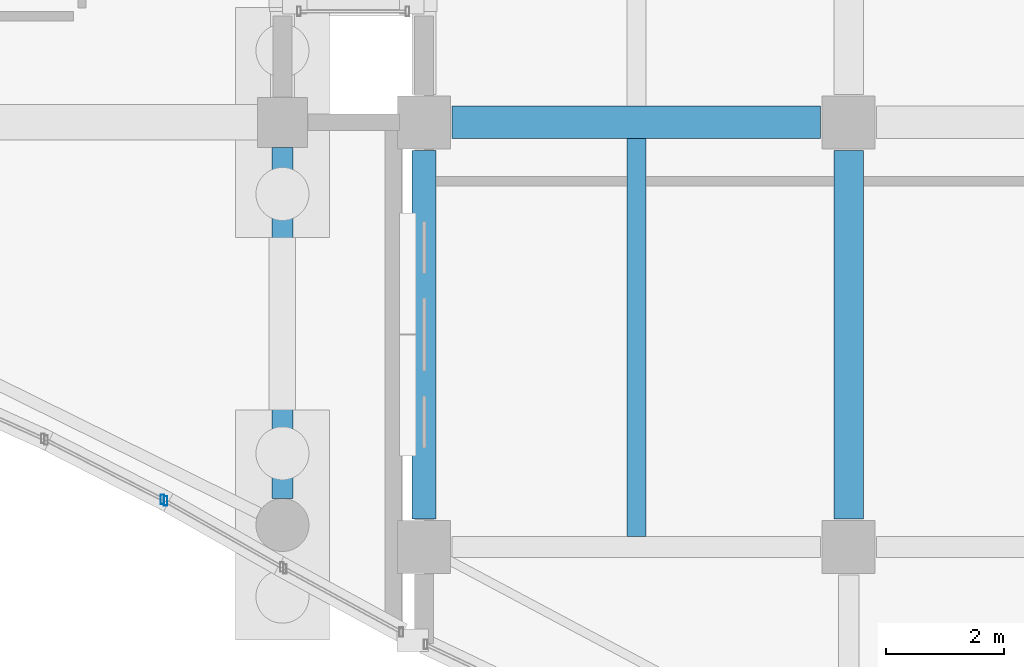
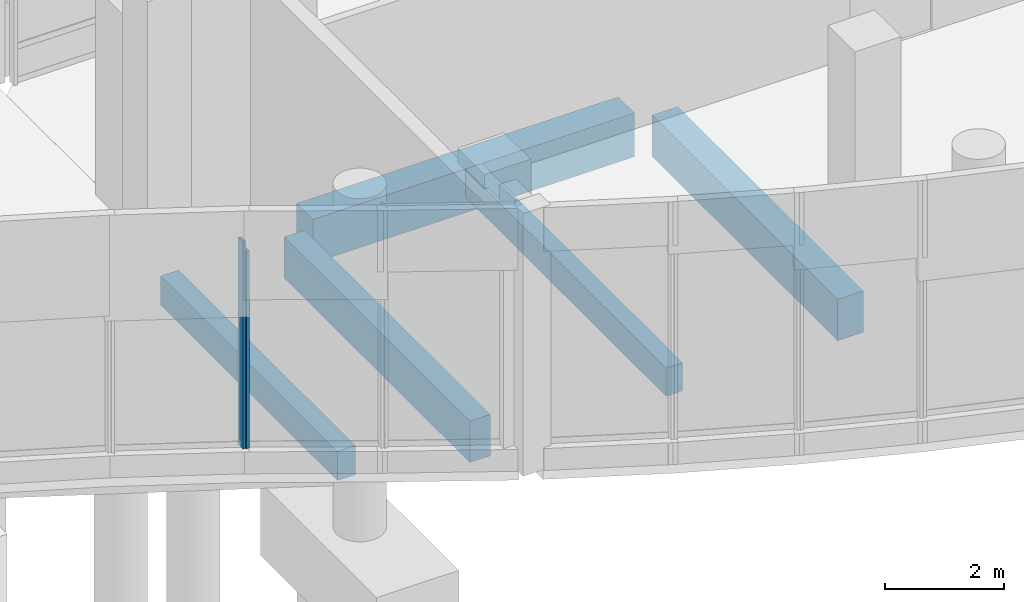
# One storey, part 71 of 192: 5 beams, 2 members, 2 elements without a shape of their own.
"""IFC4 building model written with IfcOpenShell, lengths in metres."""

from ifc_helpers import new_model, si_unit, direction, frame, origin, origin_2d, place, context, subcontext, project, spatial, rectangle, hollow_rectangle, extrude, material, material_profile, profile_set, type_object, element, aggregate, save


model = new_model("IFC4")

# Units and contexts
model_context = context("Model", 3, precision=1e-05, world=origin(), true_north=direction((0.0, 1.0)))
body_context = subcontext(model_context, "Body", "Model", "MODEL_VIEW")
ifc_project = project(units=[si_unit("LENGTHUNIT", "METRE"), si_unit("AREAUNIT", "SQUARE_METRE"), si_unit("VOLUMEUNIT", "CUBIC_METRE"), si_unit("PLANEANGLEUNIT", "RADIAN"), si_unit("MASSUNIT", "GRAM", prefix="KILO")], contexts=[model_context])

# Site, building, storey
site_placement = place(None, origin())
site = spatial("IfcSite", under=ifc_project, at=site_placement, CompositionType="ELEMENT")
building_placement = place(site_placement, origin())
building = spatial("IfcBuilding", under=site, at=building_placement, Name="Cendralis Lancet Convention Centre", CompositionType="ELEMENT")
storey_placement = place(building_placement, origin())
storey = spatial("IfcBuildingStorey", under=building, at=storey_placement, Name="L00", CompositionType="ELEMENT", Elevation=0.0)

# Curtain wall, member
ifc_material_1 = material(Name="Anodised bronze architectural aluminium", Category="aluminium")
curtain_wall_type = type_object("IfcCurtainWallType", Name="ARC-CW-WF01", PredefinedType="USERDEFINED", material=ifc_material_1)
curtain_wall_1_placement = place(storey_placement, origin())
curtain_wall_1 = element("IfcCurtainWall", 1, at=curtain_wall_1_placement, inside=storey, type_object=curtain_wall_type, Name="L00 Curtain Wall CW-WF1 #053", ObjectType="CURTAIN WALL", PredefinedType="USERDEFINED")
ifc_material_profile_1 = material_profile(ifc_material_1, hollow_rectangle(XDim=0.06005859375, YDim=0.159912109375, WallThickness=0.00390625, at=origin_2d()), Name="AL-MULL 60x160x4.0")
ifc_profile_set_1 = profile_set([ifc_material_profile_1], Name="Anodised bronze architectural aluminium")
member_type = type_object("IfcMemberType", Name="ARC-CW-ML01", PredefinedType="MULLION", material=ifc_profile_set_1)
member_1_placement = place(storey_placement, frame((127.563232421875, 8.008544921875, 0.449951171875), z_axis=(0.0, 0.0, 1.0), x_axis=(1.0, 0.0, 0.0)))
member_1 = element("IfcMember", 2, at=member_1_placement, type_object=member_type, Name="Mullion CW2-CW-WF1-L00-053-M1", PredefinedType="MULLION", context=body_context, shape_type="SweptSolid", body=[
    extrude(hollow_rectangle(XDim=0.06005859375, YDim=0.159912109375, WallThickness=0.00390625, at=origin_2d()), origin(), (0.0, 0.0, 1.0), 4.255126953125),
])
aggregate(curtain_wall_1, [member_1])

curtain_wall_2_placement = place(storey_placement, origin())
curtain_wall_2 = element("IfcCurtainWall", 3, at=curtain_wall_2_placement, inside=storey, type_object=curtain_wall_type, Name="L00 Curtain Wall CW-WF1 #054", ObjectType="CURTAIN WALL", PredefinedType="USERDEFINED")
member_2_placement = place(storey_placement, frame((127.6162109375, 7.980224609375, 0.449951171875), z_axis=(0.0, 0.0, 1.0), x_axis=(1.0, 0.0, 0.0)))
member_2 = element("IfcMember", 4, at=member_2_placement, type_object=member_type, Name="Mullion CW2-CW-WF1-L00-054-M0", PredefinedType="MULLION", context=body_context, shape_type="SweptSolid", body=[
    extrude(hollow_rectangle(XDim=0.06005859375, YDim=0.159912109375, WallThickness=0.00390625, at=origin_2d()), origin(), (0.0, 0.0, 1.0), 4.054931640625),
])
aggregate(curtain_wall_2, [member_2])

# Beams
ifc_material_2 = material(Name="Concrete G40 (C40/50)", Category="concrete")
ifc_material_profile_2 = material_profile(ifc_material_2, rectangle(XDim=0.550048828125, YDim=0.89990234375, at=origin_2d()), Name="RCB 550x900")
ifc_profile_set_2 = profile_set([ifc_material_profile_2], Name="Concrete G40 (C40/50)")
beam_type_1 = type_object("IfcBeamType", Name="STR-BM-BG06", PredefinedType="BEAM", material=ifc_profile_set_2)
beam_1_placement = place(storey_placement, frame((132.47509765625, 14.39990234375, -0.77001953125), z_axis=(1.0, 0.0, 0.0), x_axis=(0.0, 1.0, 0.0)))
element("IfcBeam", 5, at=beam_1_placement, inside=storey, type_object=beam_type_1, Name="L00 Beam BG06 #0011", PredefinedType="BEAM", context=body_context, shape_type="SweptSolid", body=[
    extrude(rectangle(XDim=0.550048828125, YDim=0.89990234375, at=origin_2d()), origin(), (0.0, 0.0, 1.0), 6.25),
])
ifc_material_3 = material(Name="Concrete G35 (C35/45)", Category="concrete")
ifc_material_profile_3 = material_profile(ifc_material_3, rectangle(XDim=0.5, YDim=0.85009765625, at=origin_2d()), Name="RCB 500x850")
ifc_profile_set_3 = profile_set([ifc_material_profile_3], Name="Concrete G35 (C35/45)")
beam_type_2 = type_object("IfcBeamType", Name="STR-BM-BG08", PredefinedType="BEAM", material=ifc_profile_set_3)
beam_2_placement = place(storey_placement, frame((139.199951171875, 7.675048828125, -0.7451171875), z_axis=(0.0, 1.0, 0.0), x_axis=(-1.0, 0.0, 0.0)))
element("IfcBeam", 6, at=beam_2_placement, inside=storey, type_object=beam_type_2, Name="L00 Beam BG08 #0055", PredefinedType="BEAM", context=body_context, shape_type="SweptSolid", body=[
    extrude(rectangle(XDim=0.5, YDim=0.85009765625, at=origin_2d()), origin(), (0.0, 0.0, 1.0), 6.25),
])
ifc_material_profile_4 = material_profile(ifc_material_3, rectangle(XDim=0.35009765625, YDim=0.60009765625, at=origin_2d()), Name="RCB 350x600")
ifc_profile_set_4 = profile_set([ifc_material_profile_4], Name="Concrete G35 (C35/45)")
beam_type_3 = type_object("IfcBeamType", Name="STR-BM-BG16", PredefinedType="BEAM", material=ifc_profile_set_4)
beam_3_placement = place(storey_placement, frame((129.60009765625, 8.022705078125, -0.6201171875), z_axis=(0.0, 1.0, 0.0), x_axis=(-1.0, 0.0, 0.0)))
element("IfcBeam", 7, at=beam_3_placement, inside=storey, type_object=beam_type_3, Name="L00 Beam BG16 #1025", PredefinedType="BEAM", context=body_context, shape_type="SweptSolid", body=[
    extrude(rectangle(XDim=0.35009765625, YDim=0.60009765625, at=origin_2d()), origin(), (0.0, 0.0, 1.0), 5.952392578125),
])
ifc_material_profile_5 = material_profile(ifc_material_3, rectangle(XDim=0.320068359375, YDim=0.580078125, at=origin_2d()), Name="RCB 320x580")
ifc_profile_set_5 = profile_set([ifc_material_profile_5], Name="Concrete G35 (C35/45)")
beam_type_4 = type_object("IfcBeamType", Name="STR-JS-BJ01", PredefinedType="JOIST", material=ifc_profile_set_5)
beam_4_placement = place(storey_placement, frame((135.60009765625, 7.375, -0.610107421875), z_axis=(0.0, 1.0, 0.0), x_axis=(-1.0, 0.0, 0.0)))
element("IfcBeam", 8, at=beam_4_placement, inside=storey, type_object=beam_type_4, Name="L00 Beam BJ01 #0093", PredefinedType="JOIST", context=body_context, shape_type="SweptSolid", body=[
    extrude(rectangle(XDim=0.320068359375, YDim=0.580078125, at=origin_2d()), origin(), (0.0, 0.0, 1.0), 6.75),
])
ifc_material_profile_6 = material_profile(ifc_material_2, rectangle(XDim=0.39990234375, YDim=0.85009765625, at=origin_2d()), Name="RCB 400x850")
ifc_profile_set_6 = profile_set([ifc_material_profile_6], Name="Concrete G40 (C40/50)")
beam_type_5 = type_object("IfcBeamType", Name="STR-SP-SP02", PredefinedType="SPANDREL", material=ifc_profile_set_6)
beam_5_placement = place(storey_placement, frame((132.0, 7.675048828125, -0.7451171875), z_axis=(0.0, 1.0, 0.0), x_axis=(-1.0, 0.0, 0.0)))
element("IfcBeam", 9, at=beam_5_placement, inside=storey, type_object=beam_type_5, Name="L00 Beam SP02 #0051", PredefinedType="SPANDREL", context=body_context, shape_type="SweptSolid", body=[
    extrude(rectangle(XDim=0.39990234375, YDim=0.85009765625, at=origin_2d()), origin(), (0.0, 0.0, 1.0), 6.25),
])

save(model, "model.ifc")
